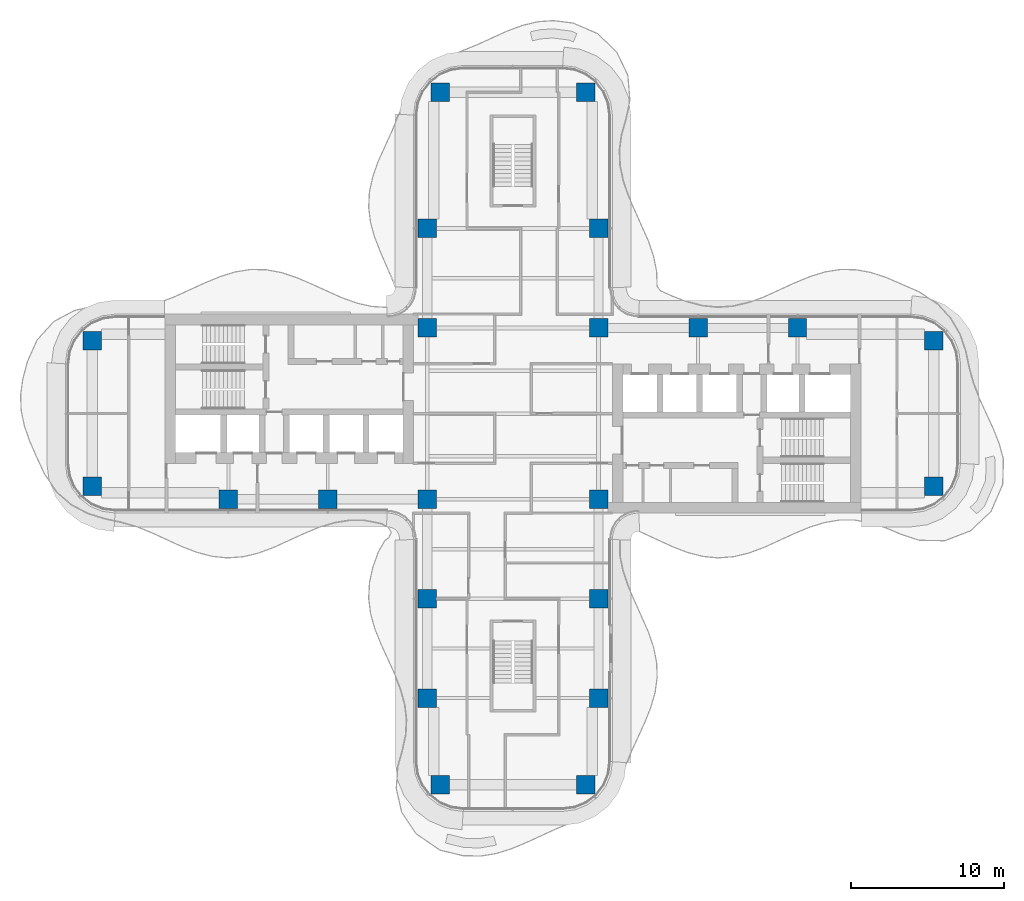
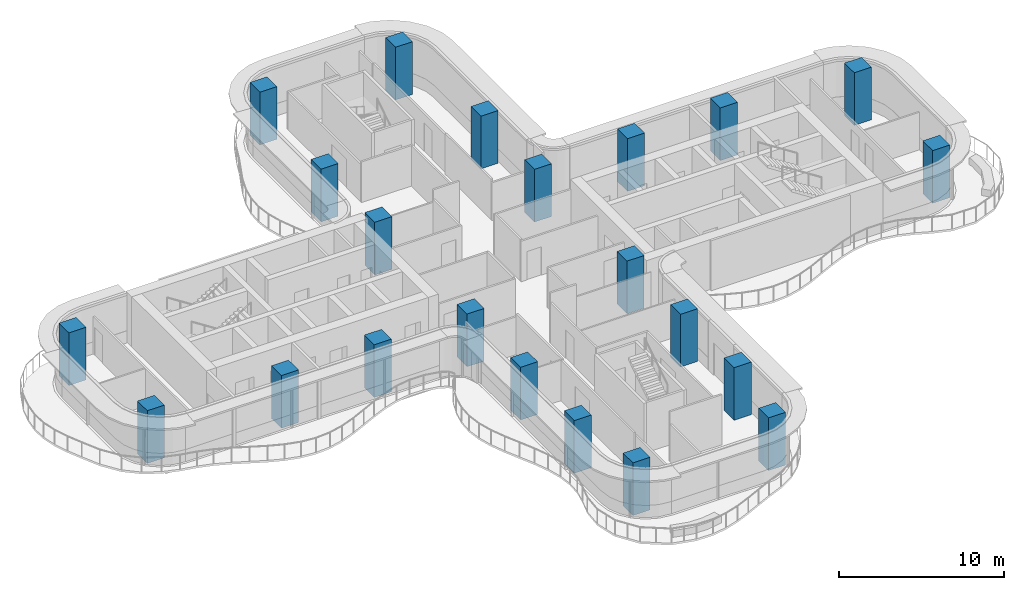
# One storey, part 1 of 18: 22 columns.
"""IFC4 building model written with IfcOpenShell, lengths in metres."""

from ifc_helpers import new_model, si_unit, direction, frame, origin, origin_2d, place, context, subcontext, project, spatial, rectangle, extrude, source, transform, mapped, material, material_profile, profile_set, type_object, element, save


model = new_model("IFC4")

# Units and contexts
model_context = context("Model", 3, precision=1e-05, world=origin(), true_north=direction((0.0, 1.0)))
body_context = subcontext(model_context, "Body", "Model", "MODEL_VIEW")
ifc_project = project(units=[si_unit("LENGTHUNIT", "METRE"), si_unit("AREAUNIT", "SQUARE_METRE"), si_unit("VOLUMEUNIT", "CUBIC_METRE"), si_unit("PLANEANGLEUNIT", "RADIAN"), si_unit("MASSUNIT", "GRAM", prefix="KILO")], contexts=[model_context])

# Site, building, storey
site_placement = place(None, origin())
site = spatial("IfcSite", under=ifc_project, at=site_placement, CompositionType="ELEMENT")
building_placement = place(site_placement, origin())
building = spatial("IfcBuilding", under=site, at=building_placement, Name="Trellis Farm Tower", CompositionType="ELEMENT")
storey_placement = place(building_placement, frame((0.0, 0.0, 193.199951171875)))
storey = spatial("IfcBuildingStorey", under=building, at=storey_placement, Name="L42", CompositionType="ELEMENT", Elevation=193.199951171875)

# Columns
ifc_material = material(Name="Concrete C70/85", Category="concrete")
ifc_material_profile = material_profile(ifc_material, rectangle(XDim=1.199951171875, YDim=1.199951171875, at=origin_2d()), Name="RC column 1200x1200 C70/85")
ifc_profile_set = profile_set([ifc_material_profile], Name="Concrete C70/85")
column_type = type_object("IfcColumnType", Name="RC column 1200x1200 C70/85", PredefinedType="COLUMN", material=ifc_profile_set)
shared_shape = source(origin(), body_context, "Body", "SweptSolid", [
    extrude(rectangle(XDim=1.199951171875, YDim=1.199951171875, at=origin_2d()), origin(), (0.0, 0.0, 1.0), 3.900146484375),
])
for number, where, z_axis, x_axis, name in (
    (1, (12.10009765625, 5.60009765625, 0.0), (0.0, 0.0, 1.0), (1.0, 0.0, 0.0), "Column"),
    (2, (18.60009765625, 5.60009765625, 0.0), (0.0, 0.0, 1.0), (1.0, 0.0, 0.0), "Column"),
    (3, (27.5, 4.75, 0.0), (0.0, 0.0, 1.0), (1.0, 0.0, 0.0), "Column"),
    (4, (27.5, -4.75, 0.0), (0.0, 0.0, 1.0), (1.0, 0.0, 0.0), "Column"),
    (5, (-5.60009765625, 12.10009765625, 0.0), (0.0, 0.0, 1.0), (1.0, 0.0, 0.0), "Column"),
    (6, (-4.75, 21.0, 0.0), (0.0, 0.0, 1.0), (1.0, 0.0, 0.0), "Column"),
    (7, (5.60009765625, 12.10009765625, 0.0), (0.0, 0.0, 1.0), (1.0, 0.0, 0.0), "Column"),
    (8, (4.75, 21.0, 0.0), (0.0, 0.0, 1.0), (1.0, 0.0, 0.0), "Column"),
    (9, (5.60009765625, 5.60009765625, 0.0), (0.0, 0.0, 1.0), (1.0, 0.0, 0.0), "Column"),
    (10, (-5.60009765625, 5.60009765625, 0.0), (0.0, 0.0, 1.0), (1.0, 0.0, 0.0), "Column"),
    (11, (5.60009765625, -5.60009765625, 0.0), (0.0, 0.0, 1.0), (1.0, 0.0, 0.0), "Column"),
    (12, (-5.60009765625, -5.60009765625, 0.0), (0.0, 0.0, 1.0), (1.0, 0.0, 0.0), "Column"),
    (13, (5.60009765625, -12.10009765625, 0.0), (0.0, 0.0, 1.0), (1.0, 0.0, 0.0), "Column"),
    (14, (5.60009765625, -18.60009765625, 0.0), (0.0, 0.0, 1.0), (1.0, 0.0, 0.0), "Column"),
    (15, (4.75, -24.25, 0.0), (0.0, 0.0, 1.0), (1.0, 0.0, 0.0), "Column"),
    (16, (-5.60009765625, -12.10009765625, 0.0), (0.0, 0.0, 1.0), (1.0, 0.0, 0.0), "Column"),
    (17, (-5.60009765625, -18.60009765625, 0.0), (0.0, 0.0, 1.0), (1.0, 0.0, 0.0), "Column"),
    (18, (-4.75, -24.25, 0.0), (0.0, 0.0, 1.0), (1.0, 0.0, 0.0), "Column"),
    (19, (-12.10009765625, -5.60009765625, 0.0), (0.0, 0.0, 1.0), (1.0, 0.0, 0.0), "Column"),
    (20, (-18.60009765625, -5.60009765625, 0.0), (0.0, 0.0, 1.0), (1.0, 0.0, 0.0), "Column"),
    (21, (-27.5, -4.75, 0.0), (0.0, 0.0, 1.0), (1.0, 0.0, 0.0), "Column"),
    (22, (-27.5, 4.75, 0.0), (0.0, 0.0, 1.0), (1.0, 0.0, 0.0), "Column"),
):
    element("IfcColumn", number, at=place(storey_placement, frame(where, z_axis=z_axis, x_axis=x_axis)), inside=storey, type_object=column_type, Name=name, PredefinedType="COLUMN", context=body_context, shape_type="MappedRepresentation", body=[
        mapped(shared_shape, transform((0.0, 0.0, 0.0))),
    ])

save(model, "model.ifc")
